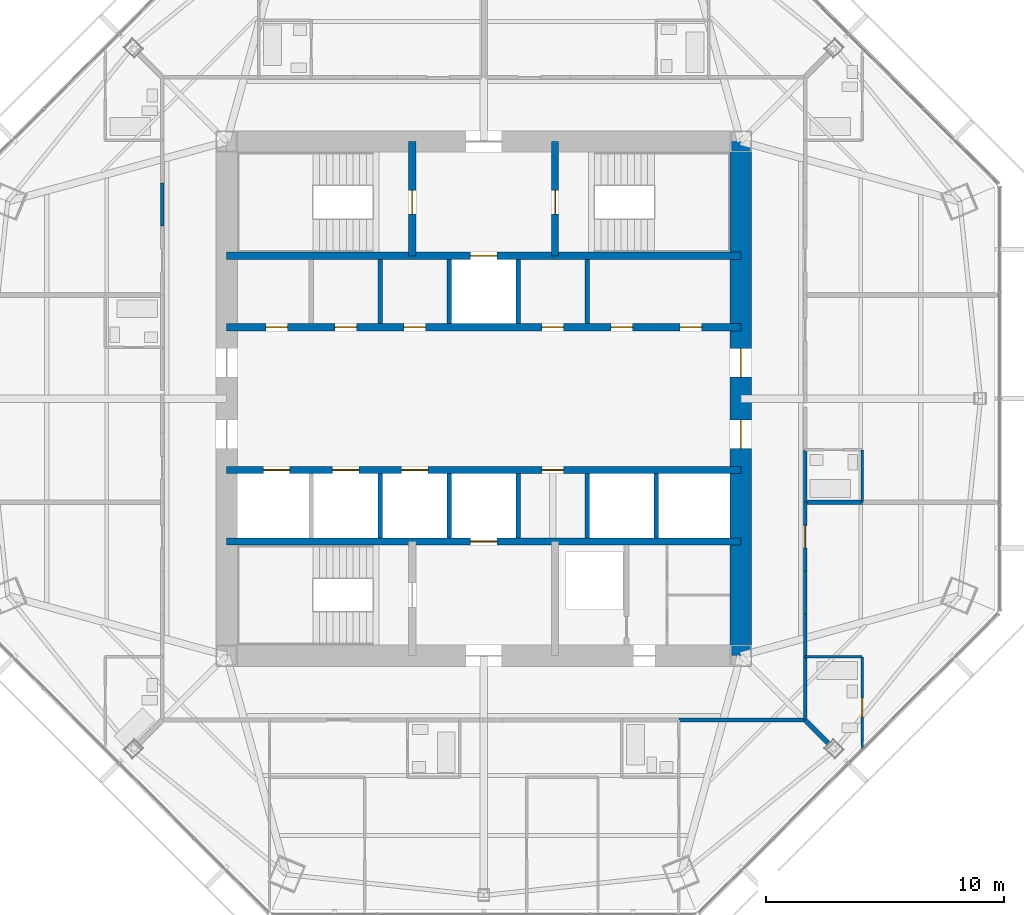
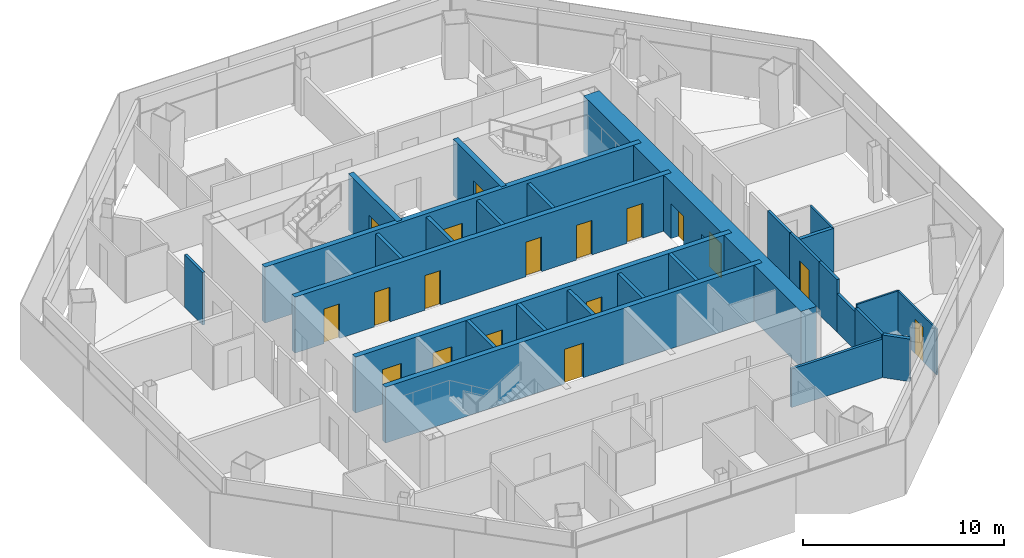
# One storey, part 10 of 15: 28 walls, 18 doors, 18 openings.
"""IFC4 building model written with IfcOpenShell, lengths in metres."""

from ifc_helpers import new_model, si_unit, direction, frame, frame_2d, origin, place, context, subcontext, project, spatial, rectangle, extrude, material, layer, layer_set, type_object, element, fill, save


model = new_model("IFC4")

# Units and contexts
model_context = context("Model", 3, precision=1e-05, world=origin(), true_north=direction((0.0, 1.0)))
body_context = subcontext(model_context, "Body", "Model", "MODEL_VIEW")
ifc_project = project(units=[si_unit("LENGTHUNIT", "METRE"), si_unit("AREAUNIT", "SQUARE_METRE"), si_unit("VOLUMEUNIT", "CUBIC_METRE"), si_unit("PLANEANGLEUNIT", "RADIAN"), si_unit("MASSUNIT", "GRAM", prefix="KILO")], contexts=[model_context])

# Site, building, storey
site_placement = place(None, origin())
site = spatial("IfcSite", under=ifc_project, at=site_placement, CompositionType="ELEMENT")
building_placement = place(site_placement, origin())
building = spatial("IfcBuilding", under=site, at=building_placement, Name="Mashrafa Tower", CompositionType="ELEMENT")
storey_placement = place(building_placement, frame((0.0, 0.0, 224.39990234375)))
storey = spatial("IfcBuildingStorey", under=building, at=storey_placement, Name="L52", CompositionType="ELEMENT", Elevation=224.39990234375)

# Walls
ifc_material_1 = material(Name="Gypsum board on steel studs", Category="steel")
ifc_layer_1 = layer(ifc_material_1, 0.199951171875)
ifc_layer_set_1 = layer_set([ifc_layer_1], Name="Acoustic partition 200 1 hr")
wall_type_1 = type_object("IfcWallType", Name="Acoustic partition 200 1 hr", PredefinedType="PARTITIONING", material=ifc_layer_set_1)
wall_1_placement = place(storey_placement, frame((13.5, -13.5, 0.0), z_axis=(0.0, 0.0, 1.0), x_axis=(0.707106781187, -0.707106781187, 0.0)))
element("IfcWall", 1, at=wall_1_placement, inside=storey, type_object=wall_type_1, Name="Acoustic wall L52-048", PredefinedType="PARTITIONING", context=body_context, shape_type="SweptSolid", body=[
    extrude(rectangle(XDim=1.409423828125, YDim=0.199951171875, at=frame_2d((0.70458984375, 0.0))), origin(), (0.0, 0.0, 1.0), 2.5830078125),
])
wall_2_placement = place(storey_placement, frame((15.90087890625, -4.35009765625, 0.0), z_axis=(0.0, 0.0, 1.0), x_axis=(-1.0, 0.0, 0.0)))
element("IfcWall", 2, at=wall_2_placement, inside=storey, type_object=wall_type_1, Name="Acoustic wall L52-049", PredefinedType="PARTITIONING", context=body_context, shape_type="SweptSolid", body=[
    extrude(rectangle(XDim=2.40087890625, YDim=0.199951171875, at=frame_2d((1.200439453125, 0.0))), origin(), (0.0, 0.0, 1.0), 2.664306640625),
])

# Wall, openings, doors
ifc_material_2 = material(Name="Concrete C50/60", Category="concrete")
ifc_layer_2 = layer(ifc_material_2, 0.300048828125)
ifc_layer_set_2 = layer_set([ifc_layer_2], Name="Core wall 300 C50/60")
wall_type_2 = type_object("IfcWallType", Name="Core wall 300 C50/60", PredefinedType="SOLIDWALL", material=ifc_layer_set_2)
wall_3_placement = place(storey_placement, frame((-10.800048828125, 3.0, 0.0), z_axis=(0.0, 0.0, 1.0), x_axis=(1.0, 0.0, 0.0)))
wall_3 = element("IfcWall", 3, at=wall_3_placement, inside=storey, type_object=wall_type_2, Name="Core wall CH-N L52", PredefinedType="SOLIDWALL", context=body_context, shape_type="SweptSolid", body=[
    extrude(rectangle(XDim=21.60009765625, YDim=0.300048828125, at=frame_2d((10.800048828125, 0.0))), origin(), (0.0, 0.0, 1.0), 3.400146484375),
])
opening_1_placement = place(wall_3_placement, frame((1.64990234375, 0.0, 0.0)))
opening_1 = element("IfcOpeningElement", 4, at=opening_1_placement, cuts=wall_3, Name="Opening 52.039", PredefinedType="OPENING", context=body_context, shape_type="SweptSolid", body=[
    extrude(rectangle(XDim=0.89990234375, YDim=2.10009765625, at=frame_2d((0.449951171875, 1.050048828125))), frame((0.0, 0.159912109375, 0.0), z_axis=(0.0, -1.0, 0.0), x_axis=(1.0, 0.0, 0.0)), (0.0, 0.0, 1.0), 0.320068359375),
])
opening_2_placement = place(wall_3_placement, frame((7.449951171875, 0.0, 0.0)))
opening_2 = element("IfcOpeningElement", 5, at=opening_2_placement, cuts=wall_3, Name="Opening 52.040", PredefinedType="OPENING", context=body_context, shape_type="SweptSolid", body=[
    extrude(rectangle(XDim=0.89990234375, YDim=2.10009765625, at=frame_2d((0.449951171875, 1.050048828125))), frame((0.0, 0.159912109375, 0.0), z_axis=(0.0, -1.0, 0.0), x_axis=(1.0, 0.0, 0.0)), (0.0, 0.0, 1.0), 0.320068359375),
])
opening_3_placement = place(wall_3_placement, frame((13.25, 0.0, 0.0)))
opening_3 = element("IfcOpeningElement", 6, at=opening_3_placement, cuts=wall_3, Name="Opening 52.041", PredefinedType="OPENING", context=body_context, shape_type="SweptSolid", body=[
    extrude(rectangle(XDim=0.89990234375, YDim=2.10009765625, at=frame_2d((0.449951171875, 1.050048828125))), frame((0.0, 0.159912109375, 0.0), z_axis=(0.0, -1.0, 0.0), x_axis=(1.0, 0.0, 0.0)), (0.0, 0.0, 1.0), 0.320068359375),
])
opening_4_placement = place(wall_3_placement, frame((16.14990234375, 0.0, 0.0)))
opening_4 = element("IfcOpeningElement", 7, at=opening_4_placement, cuts=wall_3, Name="Opening 52.042", PredefinedType="OPENING", context=body_context, shape_type="SweptSolid", body=[
    extrude(rectangle(XDim=0.89990234375, YDim=2.10009765625, at=frame_2d((0.449951171875, 1.050048828125))), frame((0.0, 0.159912109375, 0.0), z_axis=(0.0, -1.0, 0.0), x_axis=(1.0, 0.0, 0.0)), (0.0, 0.0, 1.0), 0.320068359375),
])
opening_5_placement = place(wall_3_placement, frame((19.050048828125, 0.0, 0.0)))
opening_5 = element("IfcOpeningElement", 8, at=opening_5_placement, cuts=wall_3, Name="Opening 52.043", PredefinedType="OPENING", context=body_context, shape_type="SweptSolid", body=[
    extrude(rectangle(XDim=0.89990234375, YDim=2.10009765625, at=frame_2d((0.449951171875, 1.050048828125))), frame((0.0, 0.159912109375, 0.0), z_axis=(0.0, -1.0, 0.0), x_axis=(1.0, 0.0, 0.0)), (0.0, 0.0, 1.0), 0.320068359375),
])
opening_6_placement = place(wall_3_placement, frame((4.550048828125, 0.0, 0.0)))
opening_6 = element("IfcOpeningElement", 9, at=opening_6_placement, cuts=wall_3, Name="Opening 52.044", PredefinedType="OPENING", context=body_context, shape_type="SweptSolid", body=[
    extrude(rectangle(XDim=0.89990234375, YDim=2.10009765625, at=frame_2d((0.449951171875, 1.050048828125))), frame((0.0, 0.159912109375, 0.0), z_axis=(0.0, -1.0, 0.0), x_axis=(1.0, 0.0, 0.0)), (0.0, 0.0, 1.0), 0.320068359375),
])
ifc_material_3 = material(Name="Timber door", Category="wood")
door_type_1 = type_object("IfcDoorType", Name="Store door 900 x 2100", OperationType="USERDEFINED", PredefinedType="DOOR", material=ifc_material_3)
door_1_placement = place(opening_1_placement, origin())
door_1 = element("IfcDoor", 10, at=door_1_placement, inside=storey, type_object=door_type_1, Name="Refuse Chute Room L52 door", OperationType="SINGLE_SWING_RIGHT", OverallHeight=2.10009765625, OverallWidth=0.89990234375, PredefinedType="DOOR", context=body_context, shape_type="SweptSolid", body=[
    extrude(rectangle(XDim=0.89990234375, YDim=2.10009765625, at=frame_2d((0.449951171875, 1.050048828125))), frame((0.0, 0.02490234375, 0.0), z_axis=(0.0, -1.0, 0.0), x_axis=(1.0, 0.0, 0.0)), (0.0, 0.0, 1.0), 0.050048828125),
])
fill(opening_1, door_1)
door_2_placement = place(opening_2_placement, origin())
door_2 = element("IfcDoor", 11, at=door_2_placement, inside=storey, type_object=door_type_1, Name="Vending and Ice Room L52 door", OperationType="SINGLE_SWING_LEFT", OverallHeight=2.10009765625, OverallWidth=0.89990234375, PredefinedType="DOOR", context=body_context, shape_type="SweptSolid", body=[
    extrude(rectangle(XDim=0.89990234375, YDim=2.10009765625, at=frame_2d((0.449951171875, 1.050048828125))), frame((0.0, 0.02490234375, 0.0), z_axis=(0.0, -1.0, 0.0), x_axis=(1.0, 0.0, 0.0)), (0.0, 0.0, 1.0), 0.050048828125),
])
fill(opening_2, door_2)
door_3_placement = place(opening_3_placement, origin())
door_3 = element("IfcDoor", 12, at=door_3_placement, inside=storey, type_object=door_type_1, Name="Cleaner's Store L52 door", OperationType="SINGLE_SWING_LEFT", OverallHeight=2.10009765625, OverallWidth=0.89990234375, PredefinedType="DOOR", context=body_context, shape_type="SweptSolid", body=[
    extrude(rectangle(XDim=0.89990234375, YDim=2.10009765625, at=frame_2d((0.449951171875, 1.050048828125))), frame((0.0, 0.02490234375, 0.0), z_axis=(0.0, -1.0, 0.0), x_axis=(1.0, 0.0, 0.0)), (0.0, 0.0, 1.0), 0.050048828125),
])
fill(opening_3, door_3)
door_4_placement = place(opening_4_placement, origin())
door_4 = element("IfcDoor", 13, at=door_4_placement, inside=storey, type_object=door_type_1, Name="Parcel Room L52 door", OperationType="SINGLE_SWING_LEFT", OverallHeight=2.10009765625, OverallWidth=0.89990234375, PredefinedType="DOOR", context=body_context, shape_type="SweptSolid", body=[
    extrude(rectangle(XDim=0.89990234375, YDim=2.10009765625, at=frame_2d((0.449951171875, 1.050048828125))), frame((0.0, 0.02490234375, 0.0), z_axis=(0.0, -1.0, 0.0), x_axis=(1.0, 0.0, 0.0)), (0.0, 0.0, 1.0), 0.050048828125),
])
fill(opening_4, door_4)
door_5_placement = place(opening_5_placement, origin())
door_5 = element("IfcDoor", 14, at=door_5_placement, inside=storey, type_object=door_type_1, Name="Parcel Room L52 door", OperationType="SINGLE_SWING_RIGHT", OverallHeight=2.10009765625, OverallWidth=0.89990234375, PredefinedType="DOOR", context=body_context, shape_type="SweptSolid", body=[
    extrude(rectangle(XDim=0.89990234375, YDim=2.10009765625, at=frame_2d((0.449951171875, 1.050048828125))), frame((0.0, 0.02490234375, 0.0), z_axis=(0.0, -1.0, 0.0), x_axis=(1.0, 0.0, 0.0)), (0.0, 0.0, 1.0), 0.050048828125),
])
fill(opening_5, door_5)
door_6_placement = place(opening_6_placement, origin())
door_6 = element("IfcDoor", 15, at=door_6_placement, inside=storey, type_object=door_type_1, Name="Residents' Store L52-A2 door", OperationType="SINGLE_SWING_LEFT", OverallHeight=2.10009765625, OverallWidth=0.89990234375, PredefinedType="DOOR", context=body_context, shape_type="SweptSolid", body=[
    extrude(rectangle(XDim=0.89990234375, YDim=2.10009765625, at=frame_2d((0.449951171875, 1.050048828125))), frame((0.0, 0.02490234375, 0.0), z_axis=(0.0, -1.0, 0.0), x_axis=(1.0, 0.0, 0.0)), (0.0, 0.0, 1.0), 0.050048828125),
])
fill(opening_6, door_6)

# Wall, opening, door
wall_4_placement = place(storey_placement, frame((-10.800048828125, 6.0, 0.0), z_axis=(0.0, 0.0, 1.0), x_axis=(1.0, 0.0, 0.0)))
wall_4 = element("IfcWall", 16, at=wall_4_placement, inside=storey, type_object=wall_type_2, Name="Core wall CB-N L52", PredefinedType="SOLIDWALL", context=body_context, shape_type="SweptSolid", body=[
    extrude(rectangle(XDim=21.60009765625, YDim=0.300048828125, at=frame_2d((10.800048828125, 0.0))), origin(), (0.0, 0.0, 1.0), 3.400146484375),
])
opening_7_placement = place(wall_4_placement, frame((10.25, 0.0, 0.0)))
opening_7 = element("IfcOpeningElement", 17, at=opening_7_placement, cuts=wall_4, Name="Opening 52.F1", PredefinedType="OPENING", context=body_context, shape_type="SweptSolid", body=[
    extrude(rectangle(XDim=1.10009765625, YDim=2.10009765625, at=frame_2d((0.550048828125, 1.050048828125))), frame((0.0, 0.159912109375, 0.0), z_axis=(0.0, -1.0, 0.0), x_axis=(1.0, 0.0, 0.0)), (0.0, 0.0, 1.0), 0.320068359375),
])
ifc_material_4 = material(Name="Steel door", Category="steel")
door_type_2 = type_object("IfcDoorType", Name="Lift landing door 1100 x 2100 90 min", OperationType="DOUBLE_DOOR_SLIDING", PredefinedType="DOOR", material=ifc_material_4)
door_7_placement = place(opening_7_placement, origin())
door_7 = element("IfcDoor", 18, at=door_7_placement, inside=storey, type_object=door_type_2, Name="Lift landing door F1 L52", OperationType="DOUBLE_DOOR_SLIDING", OverallHeight=2.10009765625, OverallWidth=1.10009765625, PredefinedType="DOOR", context=body_context, shape_type="SweptSolid", body=[
    extrude(rectangle(XDim=1.10009765625, YDim=2.10009765625, at=frame_2d((0.550048828125, 1.050048828125))), frame((0.0, 0.02490234375, 0.0), z_axis=(0.0, -1.0, 0.0), x_axis=(1.0, 0.0, 0.0)), (0.0, 0.0, 1.0), 0.050048828125),
])
fill(opening_7, door_7)

wall_5_placement = place(storey_placement, frame((-3.0, 6.0, 0.0), z_axis=(0.0, 0.0, 1.0), x_axis=(0.0, 1.0, 0.0)))
wall_5 = element("IfcWall", 19, at=wall_5_placement, inside=storey, type_object=wall_type_2, Name="Core wall CX-NW L52", PredefinedType="SOLIDWALL", context=body_context, shape_type="SweptSolid", body=[
    extrude(rectangle(XDim=4.800048828125, YDim=0.300048828125, at=frame_2d((2.39990234375, 0.0))), origin(), (0.0, 0.0, 1.0), 3.400146484375),
])
opening_8_placement = place(wall_5_placement, frame((1.75, 0.0, 0.0)))
opening_8 = element("IfcOpeningElement", 20, at=opening_8_placement, cuts=wall_5, Name="Opening 52.032", PredefinedType="OPENING", context=body_context, shape_type="SweptSolid", body=[
    extrude(rectangle(XDim=1.0, YDim=2.10009765625, at=frame_2d((0.5, 1.050048828125))), frame((0.0, 0.159912109375, 0.0), z_axis=(0.0, -1.0, 0.0), x_axis=(1.0, 0.0, 0.0)), (0.0, 0.0, 1.0), 0.320068359375),
])
ifc_material_5 = material(Name="Steel door", Category="steel")
door_type_3 = type_object("IfcDoorType", Name="Stair door 1000 x 2100 90 min", OperationType="USERDEFINED", PredefinedType="DOOR", material=ifc_material_5)
door_8_placement = place(opening_8_placement, origin())
door_8 = element("IfcDoor", 21, at=door_8_placement, inside=storey, type_object=door_type_3, Name="Stair S1 door L52", OperationType="SINGLE_SWING_LEFT", OverallHeight=2.10009765625, OverallWidth=1.0, PredefinedType="DOOR", context=body_context, shape_type="SweptSolid", body=[
    extrude(rectangle(XDim=1.0, YDim=2.10009765625, at=frame_2d((0.5, 1.050048828125))), frame((0.0, 0.02490234375, 0.0), z_axis=(0.0, -1.0, 0.0), x_axis=(1.0, 0.0, 0.0)), (0.0, 0.0, 1.0), 0.050048828125),
])
fill(opening_8, door_8)

wall_6_placement = place(storey_placement, frame((3.0, 6.0, 0.0), z_axis=(0.0, 0.0, 1.0), x_axis=(0.0, 1.0, 0.0)))
wall_6 = element("IfcWall", 22, at=wall_6_placement, inside=storey, type_object=wall_type_2, Name="Core wall CX-NE L52", PredefinedType="SOLIDWALL", context=body_context, shape_type="SweptSolid", body=[
    extrude(rectangle(XDim=4.800048828125, YDim=0.300048828125, at=frame_2d((2.39990234375, 0.0))), origin(), (0.0, 0.0, 1.0), 3.400146484375),
])
opening_9_placement = place(wall_6_placement, frame((1.75, 0.0, 0.0)))
opening_9 = element("IfcOpeningElement", 23, at=opening_9_placement, cuts=wall_6, Name="Opening 52.033", PredefinedType="OPENING", context=body_context, shape_type="SweptSolid", body=[
    extrude(rectangle(XDim=1.0, YDim=2.10009765625, at=frame_2d((0.5, 1.050048828125))), frame((0.0, 0.159912109375, 0.0), z_axis=(0.0, -1.0, 0.0), x_axis=(1.0, 0.0, 0.0)), (0.0, 0.0, 1.0), 0.320068359375),
])
door_9_placement = place(opening_9_placement, frame((1.0, 0.0, 0.0), z_axis=(0.0, 0.0, 1.0), x_axis=(-1.0, 0.0, 0.0)))
door_9 = element("IfcDoor", 24, at=door_9_placement, inside=storey, type_object=door_type_3, Name="Stair S2 door L52", OperationType="SINGLE_SWING_RIGHT", OverallHeight=2.10009765625, OverallWidth=1.0, PredefinedType="DOOR", context=body_context, shape_type="SweptSolid", body=[
    extrude(rectangle(XDim=1.0, YDim=2.10009765625, at=frame_2d((0.5, 1.050048828125))), frame((0.0, 0.02490234375, 0.0), z_axis=(0.0, -1.0, 0.0), x_axis=(1.0, 0.0, 0.0)), (0.0, 0.0, 1.0), 0.050048828125),
])
fill(opening_9, door_9)

# Wall, openings, doors
wall_7_placement = place(storey_placement, frame((-10.800048828125, -3.0, 0.0), z_axis=(0.0, 0.0, 1.0), x_axis=(1.0, 0.0, 0.0)))
wall_7 = element("IfcWall", 25, at=wall_7_placement, inside=storey, type_object=wall_type_2, Name="Core wall CH-S L52", PredefinedType="SOLIDWALL", context=body_context, shape_type="SweptSolid", body=[
    extrude(rectangle(XDim=21.60009765625, YDim=0.300048828125, at=frame_2d((10.800048828125, 0.0))), origin(), (0.0, 0.0, 1.0), 3.400146484375),
])
opening_10_placement = place(wall_7_placement, frame((13.25, 0.0, 0.0)))
opening_10 = element("IfcOpeningElement", 26, at=opening_10_placement, cuts=wall_7, Name="Opening 52.045", PredefinedType="OPENING", context=body_context, shape_type="SweptSolid", body=[
    extrude(rectangle(XDim=0.89990234375, YDim=2.10009765625, at=frame_2d((0.449951171875, 1.050048828125))), frame((0.0, 0.159912109375, 0.0), z_axis=(0.0, -1.0, 0.0), x_axis=(1.0, 0.0, 0.0)), (0.0, 0.0, 1.0), 0.320068359375),
])
opening_11_placement = place(wall_7_placement, frame((1.550048828125, 0.0, 0.0)))
opening_11 = element("IfcOpeningElement", 27, at=opening_11_placement, cuts=wall_7, Name="Opening 52.AL1", PredefinedType="OPENING", context=body_context, shape_type="SweptSolid", body=[
    extrude(rectangle(XDim=1.10009765625, YDim=2.10009765625, at=frame_2d((0.550048828125, 1.050048828125))), frame((0.0, 0.159912109375, 0.0), z_axis=(0.0, -1.0, 0.0), x_axis=(1.0, 0.0, 0.0)), (0.0, 0.0, 1.0), 0.320068359375),
])
opening_12_placement = place(wall_7_placement, frame((4.449951171875, 0.0, 0.0)))
opening_12 = element("IfcOpeningElement", 28, at=opening_12_placement, cuts=wall_7, Name="Opening 52.AL2", PredefinedType="OPENING", context=body_context, shape_type="SweptSolid", body=[
    extrude(rectangle(XDim=1.10009765625, YDim=2.10009765625, at=frame_2d((0.550048828125, 1.050048828125))), frame((0.0, 0.159912109375, 0.0), z_axis=(0.0, -1.0, 0.0), x_axis=(1.0, 0.0, 0.0)), (0.0, 0.0, 1.0), 0.320068359375),
])
opening_13_placement = place(wall_7_placement, frame((7.35009765625, 0.0, 0.0)))
opening_13 = element("IfcOpeningElement", 29, at=opening_13_placement, cuts=wall_7, Name="Opening 52.AL3", PredefinedType="OPENING", context=body_context, shape_type="SweptSolid", body=[
    extrude(rectangle(XDim=1.10009765625, YDim=2.10009765625, at=frame_2d((0.550048828125, 1.050048828125))), frame((0.0, 0.159912109375, 0.0), z_axis=(0.0, -1.0, 0.0), x_axis=(1.0, 0.0, 0.0)), (0.0, 0.0, 1.0), 0.320068359375),
])
door_10_placement = place(opening_11_placement, origin())
door_10 = element("IfcDoor", 30, at=door_10_placement, inside=storey, type_object=door_type_2, Name="Lift landing door AL1 L52", OperationType="DOUBLE_DOOR_SLIDING", OverallHeight=2.10009765625, OverallWidth=1.10009765625, PredefinedType="DOOR", context=body_context, shape_type="SweptSolid", body=[
    extrude(rectangle(XDim=1.10009765625, YDim=2.10009765625, at=frame_2d((0.550048828125, 1.050048828125))), frame((0.0, 0.02490234375, 0.0), z_axis=(0.0, -1.0, 0.0), x_axis=(1.0, 0.0, 0.0)), (0.0, 0.0, 1.0), 0.050048828125),
])
fill(opening_11, door_10)
door_11_placement = place(opening_12_placement, origin())
door_11 = element("IfcDoor", 31, at=door_11_placement, inside=storey, type_object=door_type_2, Name="Lift landing door AL2 L52", OperationType="DOUBLE_DOOR_SLIDING", OverallHeight=2.10009765625, OverallWidth=1.10009765625, PredefinedType="DOOR", context=body_context, shape_type="SweptSolid", body=[
    extrude(rectangle(XDim=1.10009765625, YDim=2.10009765625, at=frame_2d((0.550048828125, 1.050048828125))), frame((0.0, 0.02490234375, 0.0), z_axis=(0.0, -1.0, 0.0), x_axis=(1.0, 0.0, 0.0)), (0.0, 0.0, 1.0), 0.050048828125),
])
fill(opening_12, door_11)
door_12_placement = place(opening_13_placement, origin())
door_12 = element("IfcDoor", 32, at=door_12_placement, inside=storey, type_object=door_type_2, Name="Lift landing door AL3 L52", OperationType="DOUBLE_DOOR_SLIDING", OverallHeight=2.10009765625, OverallWidth=1.10009765625, PredefinedType="DOOR", context=body_context, shape_type="SweptSolid", body=[
    extrude(rectangle(XDim=1.10009765625, YDim=2.10009765625, at=frame_2d((0.550048828125, 1.050048828125))), frame((0.0, 0.02490234375, 0.0), z_axis=(0.0, -1.0, 0.0), x_axis=(1.0, 0.0, 0.0)), (0.0, 0.0, 1.0), 0.050048828125),
])
fill(opening_13, door_12)
door_13_placement = place(opening_10_placement, frame((0.89990234375, 0.0, 0.0), z_axis=(0.0, 0.0, 1.0), x_axis=(-1.0, 0.0, 0.0)))
door_13 = element("IfcDoor", 33, at=door_13_placement, inside=storey, type_object=door_type_1, Name="Residents' Store L52-B4 door", OperationType="SINGLE_SWING_RIGHT", OverallHeight=2.10009765625, OverallWidth=0.89990234375, PredefinedType="DOOR", context=body_context, shape_type="SweptSolid", body=[
    extrude(rectangle(XDim=0.89990234375, YDim=2.10009765625, at=frame_2d((0.449951171875, 1.050048828125))), frame((0.0, 0.02490234375, 0.0), z_axis=(0.0, -1.0, 0.0), x_axis=(1.0, 0.0, 0.0)), (0.0, 0.0, 1.0), 0.050048828125),
])
fill(opening_10, door_13)

# Wall, opening, door
wall_8_placement = place(storey_placement, frame((-10.800048828125, -6.0, 0.0), z_axis=(0.0, 0.0, 1.0), x_axis=(1.0, 0.0, 0.0)))
wall_8 = element("IfcWall", 34, at=wall_8_placement, inside=storey, type_object=wall_type_2, Name="Core wall CB-S L52", PredefinedType="SOLIDWALL", context=body_context, shape_type="SweptSolid", body=[
    extrude(rectangle(XDim=21.60009765625, YDim=0.300048828125, at=frame_2d((10.800048828125, 0.0))), origin(), (0.0, 0.0, 1.0), 3.400146484375),
])
opening_14_placement = place(wall_8_placement, frame((10.25, 0.0, 0.0)))
opening_14 = element("IfcOpeningElement", 35, at=opening_14_placement, cuts=wall_8, Name="Opening 52.F2", PredefinedType="OPENING", context=body_context, shape_type="SweptSolid", body=[
    extrude(rectangle(XDim=1.10009765625, YDim=2.10009765625, at=frame_2d((0.550048828125, 1.050048828125))), frame((0.0, 0.159912109375, 0.0), z_axis=(0.0, -1.0, 0.0), x_axis=(1.0, 0.0, 0.0)), (0.0, 0.0, 1.0), 0.320068359375),
])
door_14_placement = place(opening_14_placement, origin())
door_14 = element("IfcDoor", 36, at=door_14_placement, inside=storey, type_object=door_type_2, Name="Lift landing door F2 L52", OperationType="DOUBLE_DOOR_SLIDING", OverallHeight=2.10009765625, OverallWidth=1.10009765625, PredefinedType="DOOR", context=body_context, shape_type="SweptSolid", body=[
    extrude(rectangle(XDim=1.10009765625, YDim=2.10009765625, at=frame_2d((0.550048828125, 1.050048828125))), frame((0.0, 0.02490234375, 0.0), z_axis=(0.0, -1.0, 0.0), x_axis=(1.0, 0.0, 0.0)), (0.0, 0.0, 1.0), 0.050048828125),
])
fill(opening_14, door_14)

# Wall, openings, doors
ifc_material_6 = material(Name="Concrete C50/60", Category="concrete")
ifc_layer_3 = layer(ifc_material_6, 0.89990234375)
ifc_layer_set_3 = layer_set([ifc_layer_3], Name="Core wall 900 C50/60")
wall_type_3 = type_object("IfcWallType", Name="Core wall 900 C50/60", PredefinedType="SOLIDWALL", material=ifc_layer_set_3)
wall_9_placement = place(storey_placement, frame((10.800048828125, -10.800048828125, 0.0), z_axis=(0.0, 0.0, 1.0), x_axis=(0.0, 1.0, 0.0)))
wall_9 = element("IfcWall", 37, at=wall_9_placement, inside=storey, type_object=wall_type_3, Name="Core wall CW-E L52", PredefinedType="SOLIDWALL", context=body_context, shape_type="SweptSolid", body=[
    extrude(rectangle(XDim=21.60009765625, YDim=0.89990234375, at=frame_2d((10.800048828125, 0.0))), origin(), (0.0, 0.0, 1.0), 3.400146484375),
])
opening_15_placement = place(wall_9_placement, frame((11.699951171875, 0.0, 0.0)))
opening_15 = element("IfcOpeningElement", 38, at=opening_15_placement, cuts=wall_9, Name="Opening 52.026", PredefinedType="OPENING", context=body_context, shape_type="SweptSolid", body=[
    extrude(rectangle(XDim=1.199951171875, YDim=2.10009765625, at=frame_2d((0.60009765625, 1.050048828125))), frame((0.0, 0.4599609375, 0.0), z_axis=(0.0, -1.0, 0.0), x_axis=(1.0, 0.0, 0.0)), (0.0, 0.0, 1.0), 0.919921875),
])
opening_16_placement = place(wall_9_placement, frame((8.699951171875, 0.0, 0.0)))
opening_16 = element("IfcOpeningElement", 39, at=opening_16_placement, cuts=wall_9, Name="Opening 52.028", PredefinedType="OPENING", context=body_context, shape_type="SweptSolid", body=[
    extrude(rectangle(XDim=1.199951171875, YDim=2.10009765625, at=frame_2d((0.60009765625, 1.050048828125))), frame((0.0, 0.4599609375, 0.0), z_axis=(0.0, -1.0, 0.0), x_axis=(1.0, 0.0, 0.0)), (0.0, 0.0, 1.0), 0.919921875),
])
ifc_material_7 = material(Name="Steel door", Category="steel")
door_type_4 = type_object("IfcDoorType", Name="Lift hall door 1200 x 2100 90 min", OperationType="USERDEFINED", PredefinedType="DOOR", material=ifc_material_7)
door_15_placement = place(opening_15_placement, frame((1.199951171875, 0.0, 0.0), z_axis=(0.0, 0.0, 1.0), x_axis=(-1.0, 0.0, 0.0)))
door_15 = element("IfcDoor", 40, at=door_15_placement, inside=storey, type_object=door_type_4, Name="Lift hall door east L52", OperationType="SINGLE_SWING_LEFT", OverallHeight=2.10009765625, OverallWidth=1.199951171875, PredefinedType="DOOR", context=body_context, shape_type="SweptSolid", body=[
    extrude(rectangle(XDim=1.199951171875, YDim=2.10009765625, at=frame_2d((0.60009765625, 1.050048828125))), frame((0.0, 0.02490234375, 0.0), z_axis=(0.0, -1.0, 0.0), x_axis=(1.0, 0.0, 0.0)), (0.0, 0.0, 1.0), 0.050048828125),
])
fill(opening_15, door_15)
door_16_placement = place(opening_16_placement, frame((1.199951171875, 0.0, 0.0), z_axis=(0.0, 0.0, 1.0), x_axis=(-1.0, 0.0, 0.0)))
door_16 = element("IfcDoor", 41, at=door_16_placement, inside=storey, type_object=door_type_4, Name="Lift hall door east L52", OperationType="SINGLE_SWING_RIGHT", OverallHeight=2.10009765625, OverallWidth=1.199951171875, PredefinedType="DOOR", context=body_context, shape_type="SweptSolid", body=[
    extrude(rectangle(XDim=1.199951171875, YDim=2.10009765625, at=frame_2d((0.60009765625, 1.050048828125))), frame((0.0, 0.02490234375, 0.0), z_axis=(0.0, -1.0, 0.0), x_axis=(1.0, 0.0, 0.0)), (0.0, 0.0, 1.0), 0.050048828125),
])
fill(opening_16, door_16)

# Walls
ifc_material_8 = material(Name="Gypsum board on steel studs", Category="steel")
ifc_layer_4 = layer(ifc_material_8, 0.14990234375)
ifc_layer_set_4 = layer_set([ifc_layer_4], Name="Corridor partition 150 1 hr")
wall_type_4 = type_object("IfcWallType", Name="Corridor partition 150 1 hr", PredefinedType="PARTITIONING", material=ifc_layer_set_4)
wall_10_placement = place(storey_placement, frame((13.5, -13.5, 0.0), z_axis=(0.0, 0.0, 1.0), x_axis=(0.0, 1.0, 0.0)))
element("IfcWall", 42, at=wall_10_placement, inside=storey, type_object=wall_type_4, Name="Corridor wall L52-001", PredefinedType="PARTITIONING", context=body_context, shape_type="SweptSolid", body=[
    extrude(rectangle(XDim=2.65087890625, YDim=0.14990234375, at=frame_2d((1.325439453125, 0.0))), origin(), (0.0, 0.0, 1.0), 2.5830078125),
])
wall_11_placement = place(storey_placement, frame((13.5, -9.051025390625, 0.0), z_axis=(0.0, 0.0, 1.0), x_axis=(0.0, 1.0, 0.0)))
element("IfcWall", 43, at=wall_11_placement, inside=storey, type_object=wall_type_4, Name="Corridor wall L52-002", PredefinedType="PARTITIONING", context=body_context, shape_type="SweptSolid", body=[
    extrude(rectangle(XDim=1.802001953125, YDim=0.14990234375, at=frame_2d((0.90087890625, 0.0))), origin(), (0.0, 0.0, 1.0), 3.2001953125),
])
wall_12_placement = place(storey_placement, frame((13.5, -10.85107421875, 0.0), z_axis=(0.0, 0.0, 1.0), x_axis=(0.0, 1.0, 0.0)))
element("IfcWall", 44, at=wall_12_placement, inside=storey, type_object=wall_type_4, Name="Corridor wall L52-003", PredefinedType="PARTITIONING", context=body_context, shape_type="SweptSolid", body=[
    extrude(rectangle(XDim=1.802001953125, YDim=0.14990234375, at=frame_2d((0.90087890625, 0.0))), origin(), (0.0, 0.0, 1.0), 2.34423828125),
])

# Wall, opening, door
wall_13_placement = place(storey_placement, frame((13.5, -7.2509765625, 0.0), z_axis=(0.0, 0.0, 1.0), x_axis=(0.0, 1.0, 0.0)))
wall_13 = element("IfcWall", 45, at=wall_13_placement, inside=storey, type_object=wall_type_4, Name="Corridor wall L52-004", PredefinedType="PARTITIONING", context=body_context, shape_type="SweptSolid", body=[
    extrude(rectangle(XDim=2.90185546875, YDim=0.14990234375, at=frame_2d((1.450927734375, 0.0))), origin(), (0.0, 0.0, 1.0), 3.2001953125),
])
opening_17_placement = place(wall_13_placement, frame((0.97607421875, 0.0, 0.0)))
opening_17 = element("IfcOpeningElement", 46, at=opening_17_placement, cuts=wall_13, Name="Opening 52.002", PredefinedType="OPENING", context=body_context, shape_type="SweptSolid", body=[
    extrude(rectangle(XDim=0.949951171875, YDim=2.10009765625, at=frame_2d((0.47509765625, 1.050048828125))), frame((0.0, 0.0849609375, 0.0), z_axis=(0.0, -1.0, 0.0), x_axis=(1.0, 0.0, 0.0)), (0.0, 0.0, 1.0), 0.169921875),
])
ifc_material_9 = material(Name="Steel door", Category="steel")
door_type_5 = type_object("IfcDoorType", Name="Residence entrance door 950 x 2100 20 min", OperationType="USERDEFINED", PredefinedType="DOOR", material=ifc_material_9)
door_17_placement = place(opening_17_placement, frame((0.949951171875, 0.0, 0.0), z_axis=(0.0, 0.0, 1.0), x_axis=(-1.0, 0.0, 0.0)))
door_17 = element("IfcDoor", 47, at=door_17_placement, inside=storey, type_object=door_type_5, Name="Apartment 5201 Studio Living Room door", OperationType="SINGLE_SWING_LEFT", OverallHeight=2.10009765625, OverallWidth=0.949951171875, PredefinedType="DOOR", context=body_context, shape_type="SweptSolid", body=[
    extrude(rectangle(XDim=0.949951171875, YDim=2.10009765625, at=frame_2d((0.47509765625, 1.050048828125))), frame((0.0, 0.02490234375, 0.0), z_axis=(0.0, -1.0, 0.0), x_axis=(1.0, 0.0, 0.0)), (0.0, 0.0, 1.0), 0.050048828125),
])
fill(opening_17, door_17)

# Walls
wall_14_placement = place(storey_placement, frame((13.5, -4.35107421875, 0.0), z_axis=(0.0, 0.0, 1.0), x_axis=(0.0, 1.0, 0.0)))
element("IfcWall", 48, at=wall_14_placement, inside=storey, type_object=wall_type_4, Name="Corridor wall L52-005", PredefinedType="PARTITIONING", context=body_context, shape_type="SweptSolid", body=[
    extrude(rectangle(XDim=2.2021484375, YDim=0.14990234375, at=frame_2d((1.10107421875, 0.0))), origin(), (0.0, 0.0, 1.0), 3.2001953125),
])
wall_15_placement = place(storey_placement, frame((-13.5, 9.051025390625, 0.0), z_axis=(0.0, 0.0, 1.0), x_axis=(0.0, -1.0, 0.0)))
element("IfcWall", 49, at=wall_15_placement, inside=storey, type_object=wall_type_4, Name="Corridor wall L52-025", PredefinedType="PARTITIONING", context=body_context, shape_type="SweptSolid", body=[
    extrude(rectangle(XDim=1.802001953125, YDim=0.14990234375, at=frame_2d((0.90087890625, 0.0))), origin(), (0.0, 0.0, 1.0), 3.2001953125),
])
wall_16_placement = place(storey_placement, frame((8.198974609375, -13.5, 0.0), z_axis=(0.0, 0.0, 1.0), x_axis=(1.0, 0.0, 0.0)))
element("IfcWall", 50, at=wall_16_placement, inside=storey, type_object=wall_type_4, Name="Corridor wall L52-043", PredefinedType="PARTITIONING", context=body_context, shape_type="SweptSolid", body=[
    extrude(rectangle(XDim=5.301025390625, YDim=0.14990234375, at=frame_2d((2.650390625, 0.0))), origin(), (0.0, 0.0, 1.0), 2.34423828125),
])

# Wall, opening, door
ifc_material_10 = material(Name="Gypsum board on steel studs", Category="steel")
ifc_layer_5 = layer(ifc_material_10, 0.10009765625)
ifc_layer_set_5 = layer_set([ifc_layer_5], Name="Partition 100")
wall_type_5 = type_object("IfcWallType", Name="Partition 100", PredefinedType="PARTITIONING", material=ifc_layer_set_5)
wall_17_placement = place(storey_placement, frame((15.89990234375, -14.719482421875, 0.0), z_axis=(0.0, 0.0, 1.0), x_axis=(0.0, 1.0, 0.0)))
wall_17 = element("IfcWall", 51, at=wall_17_placement, inside=storey, type_object=wall_type_5, Name="Partition wall L52-046", PredefinedType="PARTITIONING", context=body_context, shape_type="SweptSolid", body=[
    extrude(rectangle(XDim=3.869384765625, YDim=0.10009765625, at=frame_2d((1.9345703125, 0.0))), origin(), (0.0, 0.0, 1.0), 2.78369140625),
])
opening_18_placement = place(wall_17_placement, frame((1.337890625, 0.0, 0.0)))
opening_18 = element("IfcOpeningElement", 52, at=opening_18_placement, cuts=wall_17, Name="Opening 52.001", PredefinedType="OPENING", context=body_context, shape_type="SweptSolid", body=[
    extrude(rectangle(XDim=0.800048828125, YDim=2.10009765625, at=frame_2d((0.39990234375, 1.050048828125))), frame((0.0, 0.06005859375, 0.0), z_axis=(0.0, -1.0, 0.0), x_axis=(1.0, 0.0, 0.0)), (0.0, 0.0, 1.0), 0.1201171875),
])
ifc_material_11 = material(Name="Timber door", Category="wood")
door_type_6 = type_object("IfcDoorType", Name="Bathroom door 800 x 2100", OperationType="USERDEFINED", PredefinedType="DOOR", material=ifc_material_11)
door_18_placement = place(opening_18_placement, origin())
door_18 = element("IfcDoor", 53, at=door_18_placement, inside=storey, type_object=door_type_6, Name="Apartment 5201 Bathroom door", OperationType="SINGLE_SWING_LEFT", OverallHeight=2.10009765625, OverallWidth=0.800048828125, PredefinedType="DOOR", context=body_context, shape_type="SweptSolid", body=[
    extrude(rectangle(XDim=0.800048828125, YDim=2.10009765625, at=frame_2d((0.39990234375, 1.050048828125))), frame((0.0, 0.02490234375, 0.0), z_axis=(0.0, -1.0, 0.0), x_axis=(1.0, 0.0, 0.0)), (0.0, 0.0, 1.0), 0.050048828125),
])
fill(opening_18, door_18)

# Walls
wall_18_placement = place(storey_placement, frame((15.89990234375, -10.85009765625, 0.0), z_axis=(0.0, 0.0, 1.0), x_axis=(-1.0, 0.0, 0.0)))
element("IfcWall", 54, at=wall_18_placement, inside=storey, type_object=wall_type_5, Name="Partition wall L52-047", PredefinedType="PARTITIONING", context=body_context, shape_type="SweptSolid", body=[
    extrude(rectangle(XDim=2.39990234375, YDim=0.10009765625, at=frame_2d((1.199951171875, 0.0))), origin(), (0.0, 0.0, 1.0), 2.7861328125),
])
wall_19_placement = place(storey_placement, frame((15.89990234375, -4.35009765625, 0.0), z_axis=(0.0, 0.0, 1.0), x_axis=(0.0, 1.0, 0.0)))
element("IfcWall", 55, at=wall_19_placement, inside=storey, type_object=wall_type_5, Name="Partition wall L52-051", PredefinedType="PARTITIONING", context=body_context, shape_type="SweptSolid", body=[
    extrude(rectangle(XDim=2.2001953125, YDim=0.10009765625, at=frame_2d((1.10009765625, 0.0))), origin(), (0.0, 0.0, 1.0), 2.664306640625),
])
ifc_material_12 = material(Name="Gypsum shaft wall on steel studs", Category="steel")
ifc_layer_6 = layer(ifc_material_12, 0.199951171875)
ifc_layer_set_6 = layer_set([ifc_layer_6], Name="Shaft divider wall 200 2 hr")
wall_type_6 = type_object("IfcWallType", Name="Shaft divider wall 200 2 hr", PredefinedType="PARTITIONING", material=ifc_layer_set_6)
for number, where, z_axis, x_axis, name in (
    (56, (-4.35009765625, 3.14990234375, 0.0), (0.0, 0.0, 1.0), (0.0, 1.0, 0.0), "Shaft divider wall N2 L52"),
    (57, (-1.449951171875, 3.14990234375, 0.0), (0.0, 0.0, 1.0), (0.0, 1.0, 0.0), "Shaft divider wall N3 L52"),
    (58, (1.449951171875, 3.14990234375, 0.0), (0.0, 0.0, 1.0), (0.0, 1.0, 0.0), "Shaft divider wall N4 L52"),
    (59, (4.35009765625, 3.14990234375, 0.0), (0.0, 0.0, 1.0), (0.0, 1.0, 0.0), "Shaft divider wall N5 L52"),
):
    element("IfcWall", number, at=place(storey_placement, frame(where, z_axis=z_axis, x_axis=x_axis)), inside=storey, type_object=wall_type_6, Name=name, PredefinedType="PARTITIONING", context=body_context, shape_type="SweptSolid", body=[
        extrude(rectangle(XDim=2.7001953125, YDim=0.199951171875, at=frame_2d((1.35009765625, 0.0))), origin(), (0.0, 0.0, 1.0), 3.2001953125),
    ])
for number, where, z_axis, x_axis, name in (
    (60, (-4.35009765625, -5.85009765625, 0.0), (0.0, 0.0, 1.0), (0.0, 1.0, 0.0), "Shaft divider wall S2 L52"),
    (61, (-1.449951171875, -5.85009765625, 0.0), (0.0, 0.0, 1.0), (0.0, 1.0, 0.0), "Shaft divider wall S3 L52"),
):
    element("IfcWall", number, at=place(storey_placement, frame(where, z_axis=z_axis, x_axis=x_axis)), inside=storey, type_object=wall_type_6, Name=name, PredefinedType="PARTITIONING", context=body_context, shape_type="SweptSolid", body=[
        extrude(rectangle(XDim=2.7001953125, YDim=0.199951171875, at=frame_2d((1.35009765625, 0.0))), origin(), (0.0, 0.0, 1.0), 3.400146484375),
    ])
for number, where, z_axis, x_axis, name in (
    (62, (1.449951171875, -5.85009765625, 0.0), (0.0, 0.0, 1.0), (0.0, 1.0, 0.0), "Shaft divider wall S4 L52"),
    (63, (4.35009765625, -5.85009765625, 0.0), (0.0, 0.0, 1.0), (0.0, 1.0, 0.0), "Shaft divider wall S5 L52"),
):
    element("IfcWall", number, at=place(storey_placement, frame(where, z_axis=z_axis, x_axis=x_axis)), inside=storey, type_object=wall_type_6, Name=name, PredefinedType="PARTITIONING", context=body_context, shape_type="SweptSolid", body=[
        extrude(rectangle(XDim=2.7001953125, YDim=0.199951171875, at=frame_2d((1.35009765625, 0.0))), origin(), (0.0, 0.0, 1.0), 3.2001953125),
    ])
wall_20_placement = place(storey_placement, frame((7.25, -5.85009765625, 0.0), z_axis=(0.0, 0.0, 1.0), x_axis=(0.0, 1.0, 0.0)))
element("IfcWall", 64, at=wall_20_placement, inside=storey, type_object=wall_type_6, Name="Shaft divider wall S6 L52", PredefinedType="PARTITIONING", context=body_context, shape_type="SweptSolid", body=[
    extrude(rectangle(XDim=2.7001953125, YDim=0.199951171875, at=frame_2d((1.35009765625, 0.0))), origin(), (0.0, 0.0, 1.0), 3.400146484375),
])

save(model, "model.ifc")
